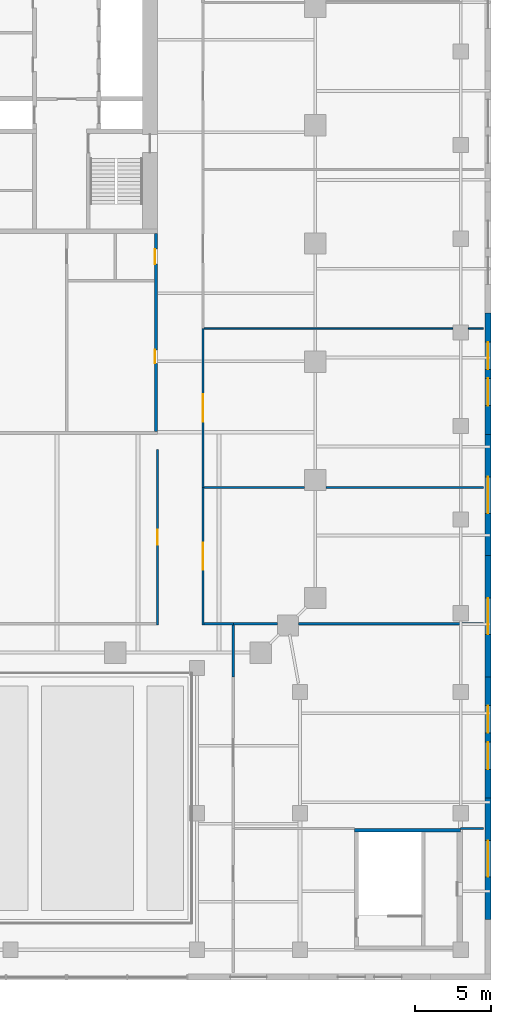
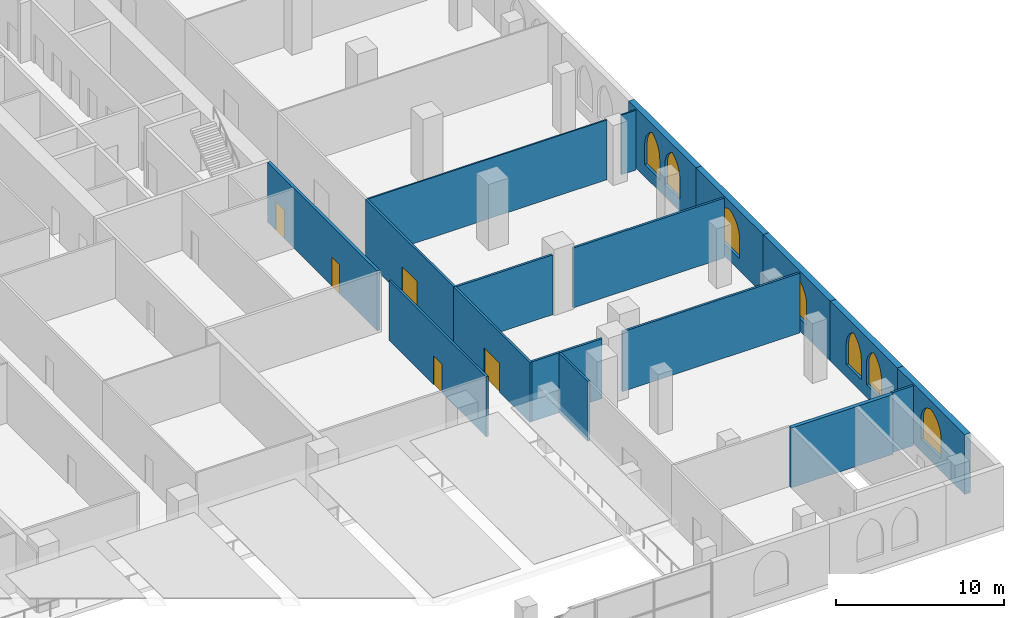
# One storey, part 13 of 18: 19 walls, 7 windows, 5 doors, 12 openings.
"""IFC4 building model written with IfcOpenShell, lengths in metres."""

import ifcopenshell
import ifcopenshell.guid

model = None  # the IFC model being written
_history = None  # IfcOwnerHistory: only IFC2X3 demands one
_inside = {}  # id of a spatial element -> (the spatial element, [elements in it])
_under = {}  # id of a project, library or spatial element -> (it, [spatial elements below it])
_declared = {}  # id of a project -> (the project, [libraries it declares])
_typed = {}  # id of a type object -> (the type object, [elements of that type])
_made_of = {}  # id of a material, layer set ... -> (it, [elements and type objects made of it])


def new_model(schema):
    """Start an empty IFC model of exactly this schema.

    Asked for "IFC4X3", IfcOpenShell would pick the latest addendum, in which some entities
    have other attributes; the version numbers below select the first issue.
    IFC2X3 requires an IfcOwnerHistory on every rooted entity: one is made here for all.
    """
    global model, _history
    if schema == "IFC4X3":
        model = ifcopenshell.file(schema_version=(4, 3, 0, 0))
    else:
        model = ifcopenshell.file(schema=schema)
    _inside.clear()
    _under.clear()
    _declared.clear()
    _typed.clear()
    _made_of.clear()
    _history = None
    if model.schema == "IFC2X3":
        org = make("IfcOrganization", Name="unknown")
        user = make(
            "IfcPersonAndOrganization",
            ThePerson=make("IfcPerson", FamilyName="unknown"),
            TheOrganization=org,
        )
        app = make(
            "IfcApplication",
            ApplicationDeveloper=org,
            Version="unknown",
            ApplicationFullName="unknown",
            ApplicationIdentifier="unknown",
        )
        _history = make(
            "IfcOwnerHistory",
            OwningUser=user,
            OwningApplication=app,
            ChangeAction="ADDED",
            CreationDate=0,
        )
    return model


def make(cls, **values):
    """One entity of the class cls with the attributes given. An attribute that is None is left unset."""
    return model.create_entity(
        cls, **{name: value for name, value in values.items() if value is not None}
    )


def rooted(cls, **values):
    """An entity with a GlobalId (a new one), such as an element, a storey or a relation."""
    return make(cls, GlobalId=ifcopenshell.guid.new(), OwnerHistory=_history, **values)


def si_unit(unit_type, name, prefix=None):
    """IfcSIUnit, for example si_unit("LENGTHUNIT", "METRE", prefix="MILLI")."""
    return make("IfcSIUnit", UnitType=unit_type, Prefix=prefix, Name=name)


def assignment(units):
    """IfcUnitAssignment: the units of a project."""
    return None if units is None else make("IfcUnitAssignment", Units=units)


def point(xyz):
    """IfcCartesianPoint."""
    return None if xyz is None else make("IfcCartesianPoint", Coordinates=xyz)


def direction(xyz):
    """IfcDirection."""
    return None if xyz is None else make("IfcDirection", DirectionRatios=xyz)


def frame(location, z_axis=None, x_axis=None):
    """IfcAxis2Placement3D, a coordinate frame: its origin and axes. An axis left out is left unset."""
    return make(
        "IfcAxis2Placement3D",
        Location=point(location),
        Axis=direction(z_axis),
        RefDirection=direction(x_axis),
    )


def frame_2d(location, x_axis=None):
    """IfcAxis2Placement2D, a coordinate frame in the plane: its origin and x axis."""
    return make(
        "IfcAxis2Placement2D", Location=point(location), RefDirection=direction(x_axis)
    )


def origin():
    """The frame at (0, 0, 0) with its axes left unset."""
    return frame((0.0, 0.0, 0.0))


def place(relative_to, where):
    """IfcLocalPlacement: puts the frame where relative to a parent placement (None: the world)."""
    return make(
        "IfcLocalPlacement", PlacementRelTo=relative_to, RelativePlacement=where
    )


def context(
    kind, dimensions, precision=None, world=None, true_north=None, identifier=None
):
    """IfcGeometricRepresentationContext, for example the 3D "Model" context."""
    return make(
        "IfcGeometricRepresentationContext",
        ContextIdentifier=identifier,
        ContextType=kind,
        CoordinateSpaceDimension=dimensions,
        Precision=precision,
        WorldCoordinateSystem=world,
        TrueNorth=true_north,
    )


def subcontext(parent, identifier, kind, view, scale=None):
    """IfcGeometricRepresentationSubContext, for example "Body" below "Model"."""
    return make(
        "IfcGeometricRepresentationSubContext",
        ContextIdentifier=identifier,
        ContextType=kind,
        ParentContext=parent,
        TargetScale=scale,
        TargetView=view,
    )


def project(units=None, contexts=None):
    """IfcProject with its units and contexts."""
    return rooted(
        "IfcProject",
        Name="project",
        RepresentationContexts=contexts,
        UnitsInContext=assignment(units),
    )


def spatial(cls, under=None, at=None, **own):
    """A site, building, storey or space (cls), placed at a placement, below another one or the project."""
    s = rooted(cls, ObjectPlacement=at, **own)
    if under is not None:
        _under.setdefault(under.id(), (under, []))[1].append(s)
    return s


def polyline(points):
    """IfcPolyline through the points."""
    return make("IfcPolyline", Points=[point(p) for p in points])


def profile(cls, at=None, kind="AREA", **sizes):
    """A parametric profile (cls). Its sizes go by their IFC names, for example OverallWidth=200.0."""
    return make(cls, ProfileType=kind, Position=at, **sizes)


def rectangle(**sizes):
    """IfcRectangleProfileDef."""
    return profile("IfcRectangleProfileDef", **sizes)


def outline(outer, holes=None, kind="AREA"):
    """IfcArbitraryClosedProfileDef: a profile drawn as a closed curve; with holes, ...WithVoids."""
    if holes is None:
        return make("IfcArbitraryClosedProfileDef", ProfileType=kind, OuterCurve=outer)
    return make(
        "IfcArbitraryProfileDefWithVoids",
        ProfileType=kind,
        OuterCurve=outer,
        InnerCurves=holes,
    )


def extrude(swept, where, along, depth):
    """IfcExtrudedAreaSolid: the profile swept, set in the frame where, extruded along a direction by depth."""
    return make(
        "IfcExtrudedAreaSolid",
        SweptArea=swept,
        Position=where,
        ExtrudedDirection=direction(along),
        Depth=depth,
    )


def shape(context_of_items, identifier, shape_type, items):
    """IfcShapeRepresentation: the items that make up one representation, for example the "Body"."""
    return make(
        "IfcShapeRepresentation",
        ContextOfItems=context_of_items,
        RepresentationIdentifier=identifier,
        RepresentationType=shape_type,
        Items=items,
    )


def material(Name=None, Category=None):
    """IfcMaterial."""
    return make("IfcMaterial", Name=Name, Category=Category)


def layer(
    of_material, thickness, ventilated=None, Name=None, Category=None, Priority=None
):
    """IfcMaterialLayer: one layer of a wall or slab, of a material (None: an air gap)."""
    return make(
        "IfcMaterialLayer",
        Material=of_material,
        LayerThickness=thickness,
        IsVentilated=ventilated,
        Name=Name,
        Category=Category,
        Priority=Priority,
    )


def layer_set(layers, Name=None):
    """IfcMaterialLayerSet."""
    return make("IfcMaterialLayerSet", MaterialLayers=layers, LayerSetName=Name)


def made_of(thing, what):
    """Note that an element or type object is made of a material, layer set ...; save() writes the relation."""
    if what is not None:
        _made_of.setdefault(what.id(), (what, []))[1].append(thing)
    return thing


def type_object(cls, material=None, **own):
    """A type object (cls), such as IfcWallType, which elements share."""
    return made_of(rooted(cls, **own), material)


def element(
    cls,
    number,
    at=None,
    inside=None,
    cuts=None,
    type_object=None,
    material=None,
    context=None,
    identifier="Body",
    shape_type=None,
    held_by="IfcProductDefinitionShape",
    body=None,
    shapes=None,
    **own,
):
    """One element of the class cls, such as IfcWall. Its Tag is "e" and its number.

    at: its placement. inside: the storey or other place that contains it. cuts: it is an
    opening in that element (IfcRelVoidsElement). A single representation is given by context,
    identifier, shape_type and body (its items); several are given by shapes. held_by: the class
    of the entity that holds the representations. save() writes the other relations.
    """
    e = rooted(cls, Tag="e%d" % number, ObjectPlacement=at, **own)
    if body is not None:
        shapes = [shape(context, identifier, shape_type, body)]
    if shapes is not None:
        e.Representation = make(held_by, Representations=shapes)
    if inside is not None:
        _inside.setdefault(inside.id(), (inside, []))[1].append(e)
    if cuts is not None:
        rooted(
            "IfcRelVoidsElement", RelatingBuildingElement=cuts, RelatedOpeningElement=e
        )
    if type_object is not None:
        _typed.setdefault(type_object.id(), (type_object, []))[1].append(e)
    return made_of(e, material)


def fill(opening, filler):
    """IfcRelFillsElement: the door or window that sits in an opening."""
    return rooted(
        "IfcRelFillsElement",
        RelatingOpeningElement=opening,
        RelatedBuildingElement=filler,
    )


def aggregate(whole, parts):
    """IfcRelAggregates: a whole, such as a stair, and the parts it consists of."""
    return rooted("IfcRelAggregates", RelatingObject=whole, RelatedObjects=parts)


def save(model, path):
    """Write the relations noted so far, then the file.

    IfcRelAggregates (storeys below a building ...), IfcRelContainedInSpatialStructure (elements
    in a storey), IfcRelDefinesByType, IfcRelAssociatesMaterial and IfcRelDeclares: one each for
    every whole, place, type object, material and project.
    """
    for whole, parts in _under.values():
        aggregate(whole, parts)
    for where, things in _inside.values():
        rooted(
            "IfcRelContainedInSpatialStructure",
            RelatedElements=things,
            RelatingStructure=where,
        )
    for kind, things in _typed.values():
        rooted("IfcRelDefinesByType", RelatedObjects=things, RelatingType=kind)
    for what, things in _made_of.values():
        rooted("IfcRelAssociatesMaterial", RelatedObjects=things, RelatingMaterial=what)
    for by, libraries in _declared.values():
        rooted("IfcRelDeclares", RelatingContext=by, RelatedDefinitions=libraries)
    model.write(path)


model = new_model("IFC4")

# Units and contexts
model_context = context("Model", 3, precision=1e-05, world=origin(), true_north=direction((0.0, 1.0)))
body_context = subcontext(model_context, "Body", "Model", "MODEL_VIEW")
ifc_project = project(units=[si_unit("LENGTHUNIT", "METRE"), si_unit("AREAUNIT", "SQUARE_METRE"), si_unit("VOLUMEUNIT", "CUBIC_METRE"), si_unit("PLANEANGLEUNIT", "RADIAN"), si_unit("MASSUNIT", "GRAM", prefix="KILO")], contexts=[model_context])

# Site, building, storey
site_placement = place(None, origin())
site = spatial("IfcSite", under=ifc_project, at=site_placement, CompositionType="ELEMENT")
building_placement = place(site_placement, origin())
building = spatial("IfcBuilding", under=site, at=building_placement, Name="Ogive Exchange Tower", CompositionType="ELEMENT")
storey_placement = place(building_placement, frame((0.0, 0.0, 28.800048828125)))
storey = spatial("IfcBuildingStorey", under=building, at=storey_placement, Name="L05", CompositionType="ELEMENT", Elevation=28.800048828125)

# Walls
ifc_material_1 = material(Name="Acoustic partition 150")
ifc_layer_1 = layer(ifc_material_1, 0.14990234375)
ifc_layer_set_1 = layer_set([ifc_layer_1], Name="Acoustic partition 150")
wall_type_1 = type_object("IfcWallType", Name="Acoustic partition 150", PredefinedType="PARTITIONING", material=ifc_layer_set_1)
wall_1_placement = place(storey_placement, frame((42.0, -42.0, 0.0), z_axis=(0.0, 0.0, 1.0), x_axis=(1.0, 0.0, 0.0)))
element("IfcWall", 1, at=wall_1_placement, inside=storey, type_object=wall_type_1, Name="L05-PWL-004", PredefinedType="PARTITIONING", context=body_context, shape_type="SweptSolid", body=[
    extrude(rectangle(XDim=1.5, YDim=0.14990234375, at=frame_2d((0.75, 0.0))), origin(), (0.0, 0.0, 1.0), 4.349853515625),
])
wall_2_placement = place(storey_placement, frame((27.0, -28.5, 0.0), z_axis=(0.0, 0.0, 1.0), x_axis=(1.0, 0.0, 0.0)))
element("IfcWall", 2, at=wall_2_placement, inside=storey, type_object=wall_type_1, Name="L05-PWL-013", PredefinedType="PARTITIONING", context=body_context, shape_type="SweptSolid", body=[
    extrude(rectangle(XDim=2.89990234375, YDim=0.14990234375, at=frame_2d((1.449951171875, 0.0))), origin(), (0.0, 0.0, 1.0), 4.349853515625),
])
wall_3_placement = place(storey_placement, frame((31.300048828125, -28.5, 0.0), z_axis=(0.0, 0.0, 1.0), x_axis=(1.0, 0.0, 0.0)))
element("IfcWall", 3, at=wall_3_placement, inside=storey, type_object=wall_type_1, Name="L05-PWL-014", PredefinedType="PARTITIONING", context=body_context, shape_type="SweptSolid", body=[
    extrude(rectangle(XDim=12.199951171875, YDim=0.14990234375, at=frame_2d((6.10009765625, 0.0))), origin(), (0.0, 0.0, 1.0), 4.349853515625),
])
wall_4_placement = place(storey_placement, frame((25.074951171875, -19.5, 0.0), z_axis=(0.0, 0.0, 1.0), x_axis=(1.0, 0.0, 0.0)))
element("IfcWall", 4, at=wall_4_placement, inside=storey, type_object=wall_type_1, Name="L05-PWL-016", PredefinedType="PARTITIONING", context=body_context, shape_type="SweptSolid", body=[
    extrude(rectangle(XDim=6.625, YDim=0.14990234375, at=frame_2d((3.3125, 0.0))), origin(), (0.0, 0.0, 1.0), 4.349853515625),
])
wall_5_placement = place(storey_placement, frame((33.10009765625, -19.5, 0.0), z_axis=(0.0, 0.0, 1.0), x_axis=(1.0, 0.0, 0.0)))
element("IfcWall", 5, at=wall_5_placement, inside=storey, type_object=wall_type_1, Name="L05-PWL-017", PredefinedType="PARTITIONING", context=body_context, shape_type="SweptSolid", body=[
    extrude(rectangle(XDim=10.39990234375, YDim=0.14990234375, at=frame_2d((5.199951171875, 0.0))), origin(), (0.0, 0.0, 1.0), 4.349853515625),
])
ifc_material_2 = material(Name="Fire partition EI 60 150")
ifc_layer_2 = layer(ifc_material_2, 0.14990234375)
ifc_layer_set_2 = layer_set([ifc_layer_2], Name="Fire partition EI 60 150")
wall_type_2 = type_object("IfcWallType", Name="Fire partition EI 60 150", PredefinedType="PARTITIONING", material=ifc_layer_set_2)
wall_6_placement = place(storey_placement, frame((25.074951171875, -28.5, 0.0), z_axis=(0.0, 0.0, 1.0), x_axis=(1.0, 0.0, 0.0)))
element("IfcWall", 6, at=wall_6_placement, inside=storey, type_object=wall_type_2, Name="L05-PWL-012", PredefinedType="PARTITIONING", context=body_context, shape_type="SweptSolid", body=[
    extrude(rectangle(XDim=1.925048828125, YDim=0.14990234375, at=frame_2d((0.96240234375, 0.0))), origin(), (0.0, 0.0, 1.0), 4.349853515625),
])

# Wall, opening, door
wall_7_placement = place(storey_placement, frame((22.0, -28.574951171875, 0.0), z_axis=(0.0, 0.0, 1.0), x_axis=(0.0, 1.0, 0.0)))
wall_7 = element("IfcWall", 7, at=wall_7_placement, inside=storey, type_object=wall_type_2, Name="L05-PWL-059", PredefinedType="PARTITIONING", context=body_context, shape_type="SweptSolid", body=[
    extrude(rectangle(XDim=11.574951171875, YDim=0.14990234375, at=frame_2d((5.78759765625, 0.0))), origin(), (0.0, 0.0, 1.0), 4.349853515625),
])
opening_1_placement = place(wall_7_placement, frame((5.28759765625, 0.0, 0.0)))
opening_1 = element("IfcOpeningElement", 8, at=opening_1_placement, cuts=wall_7, Name="Opening L05-I19", PredefinedType="OPENING", context=body_context, shape_type="SweptSolid", body=[
    extrude(rectangle(XDim=1.0, YDim=2.10009765625, at=frame_2d((0.5, 1.050048828125))), frame((0.0, 0.0849609375, 0.0), z_axis=(0.0, -1.0, 0.0), x_axis=(1.0, 0.0, 0.0)), (0.0, 0.0, 1.0), 0.169921875),
])
ifc_material_3 = material(Name="Fire door FD 30S 1000 x 2100")
door_type_1 = type_object("IfcDoorType", Name="Fire door FD 30S 1000 x 2100", OperationType="NOTDEFINED", PredefinedType="DOOR", material=ifc_material_3)
door_1_placement = place(opening_1_placement, origin())
door_1 = element("IfcDoor", 9, at=door_1_placement, inside=storey, type_object=door_type_1, Name="L05-IDR-019", ObjectType="DT3", OperationType="SINGLE_SWING_RIGHT", OverallHeight=2.10009765625, OverallWidth=1.0, PredefinedType="DOOR", context=body_context, shape_type="SweptSolid", body=[
    extrude(rectangle(XDim=1.0, YDim=2.10009765625, at=frame_2d((0.5, 1.050048828125))), frame((0.0, 0.02490234375, 0.0), z_axis=(0.0, -1.0, 0.0), x_axis=(1.0, 0.0, 0.0)), (0.0, 0.0, 1.0), 0.050048828125),
])
fill(opening_1, door_1)

wall_8_placement = place(storey_placement, frame((25.0, -28.574951171875, 0.0), z_axis=(0.0, 0.0, 1.0), x_axis=(0.0, 1.0, 0.0)))
wall_8 = element("IfcWall", 10, at=wall_8_placement, inside=storey, type_object=wall_type_2, Name="L05-PWL-060", PredefinedType="PARTITIONING", context=body_context, shape_type="SweptSolid", body=[
    extrude(rectangle(XDim=9.074951171875, YDim=0.14990234375, at=frame_2d((4.53759765625, 0.0))), origin(), (0.0, 0.0, 1.0), 4.349853515625),
])
opening_2_placement = place(wall_8_placement, frame((3.637451171875, 0.0, 0.0)))
opening_2 = element("IfcOpeningElement", 11, at=opening_2_placement, cuts=wall_8, Name="Opening L05-I09", PredefinedType="OPENING", context=body_context, shape_type="SweptSolid", body=[
    extrude(rectangle(XDim=1.800048828125, YDim=2.10009765625, at=frame_2d((0.89990234375, 1.050048828125))), frame((0.0, 0.0849609375, 0.0), z_axis=(0.0, -1.0, 0.0), x_axis=(1.0, 0.0, 0.0)), (0.0, 0.0, 1.0), 0.169921875),
])
ifc_material_4 = material(Name="Fire door FD 30S 1800 x 2100")
door_type_2 = type_object("IfcDoorType", Name="Fire door FD 30S 1800 x 2100", OperationType="DOUBLE_DOOR_SINGLE_SWING", PredefinedType="DOOR", material=ifc_material_4)
door_2_placement = place(opening_2_placement, frame((1.800048828125, 0.0, 0.0), z_axis=(0.0, 0.0, 1.0), x_axis=(-1.0, 0.0, 0.0)))
door_2 = element("IfcDoor", 12, at=door_2_placement, inside=storey, type_object=door_type_2, Name="L05-IDR-009", ObjectType="DT4", OperationType="SINGLE_SWING_RIGHT", OverallHeight=2.10009765625, OverallWidth=1.800048828125, PredefinedType="DOOR", context=body_context, shape_type="SweptSolid", body=[
    extrude(rectangle(XDim=1.800048828125, YDim=2.10009765625, at=frame_2d((0.89990234375, 1.050048828125))), frame((0.0, 0.02490234375, 0.0), z_axis=(0.0, -1.0, 0.0), x_axis=(1.0, 0.0, 0.0)), (0.0, 0.0, 1.0), 0.050048828125),
])
fill(opening_2, door_2)

wall_9_placement = place(storey_placement, frame((25.0, -19.5, 0.0), z_axis=(0.0, 0.0, 1.0), x_axis=(0.0, 1.0, 0.0)))
wall_9 = element("IfcWall", 13, at=wall_9_placement, inside=storey, type_object=wall_type_2, Name="L05-PWL-061", PredefinedType="PARTITIONING", context=body_context, shape_type="SweptSolid", body=[
    extrude(rectangle(XDim=10.5, YDim=0.14990234375, at=frame_2d((5.25, 0.0))), origin(), (0.0, 0.0, 1.0), 4.349853515625),
])
opening_3_placement = place(wall_9_placement, frame((4.35009765625, 0.0, 0.0)))
opening_3 = element("IfcOpeningElement", 14, at=opening_3_placement, cuts=wall_9, Name="Opening L05-I10", PredefinedType="OPENING", context=body_context, shape_type="SweptSolid", body=[
    extrude(rectangle(XDim=1.800048828125, YDim=2.10009765625, at=frame_2d((0.89990234375, 1.050048828125))), frame((0.0, 0.0849609375, 0.0), z_axis=(0.0, -1.0, 0.0), x_axis=(1.0, 0.0, 0.0)), (0.0, 0.0, 1.0), 0.169921875),
])
door_3_placement = place(opening_3_placement, frame((1.800048828125, 0.0, 0.0), z_axis=(0.0, 0.0, 1.0), x_axis=(-1.0, 0.0, 0.0)))
door_3 = element("IfcDoor", 15, at=door_3_placement, inside=storey, type_object=door_type_2, Name="L05-IDR-010", ObjectType="DT4", OperationType="SINGLE_SWING_LEFT", OverallHeight=2.10009765625, OverallWidth=1.800048828125, PredefinedType="DOOR", context=body_context, shape_type="SweptSolid", body=[
    extrude(rectangle(XDim=1.800048828125, YDim=2.10009765625, at=frame_2d((0.89990234375, 1.050048828125))), frame((0.0, 0.02490234375, 0.0), z_axis=(0.0, -1.0, 0.0), x_axis=(1.0, 0.0, 0.0)), (0.0, 0.0, 1.0), 0.050048828125),
])
fill(opening_3, door_3)

# Wall
wall_10_placement = place(storey_placement, frame((27.0, -32.0, 0.0), z_axis=(0.0, 0.0, 1.0), x_axis=(0.0, 1.0, 0.0)))
element("IfcWall", 16, at=wall_10_placement, inside=storey, type_object=wall_type_2, Name="L05-PWL-069", PredefinedType="PARTITIONING", context=body_context, shape_type="SweptSolid", body=[
    extrude(rectangle(XDim=3.425048828125, YDim=0.14990234375, at=frame_2d((1.71240234375, 0.0))), origin(), (0.0, 0.0, 1.0), 4.349853515625),
])

# Wall, opening, window
ifc_material_5 = material(Name="Precast concrete C40/50", Category="concrete")
ifc_layer_3 = layer(ifc_material_5, 0.39990234375)
ifc_layer_set_3 = layer_set([ifc_layer_3], Name="Limestone-faced wall 400")
wall_type_3 = type_object("IfcWallType", Name="Limestone-faced wall 400", PredefinedType="STANDARD", material=ifc_layer_set_3)
wall_11_placement = place(storey_placement, frame((43.800048828125, -48.0, 0.0), z_axis=(0.0, 0.0, 1.0), x_axis=(0.0, 1.0, 0.0)))
wall_11 = element("IfcWall", 17, at=wall_11_placement, inside=storey, type_object=wall_type_3, Name="Podium wall E2", PredefinedType="STANDARD", context=body_context, shape_type="SweptSolid", body=[
    extrude(rectangle(XDim=8.0, YDim=0.39990234375, at=frame_2d((4.0, 0.0))), origin(), (0.0, 0.0, 1.0), 4.349853515625),
])
opening_4_placement = place(wall_11_placement, frame((2.800048828125, 0.0, 0.89990234375)))
opening_4 = element("IfcOpeningElement", 18, at=opening_4_placement, cuts=wall_11, Name="Opening WP285", PredefinedType="OPENING", context=body_context, shape_type="SweptSolid", body=[
    extrude(outline(polyline([(0.0, 0.0), (2.39990234375, 0.0), (2.39990234375, 1.425048828125), (2.3779296875, 1.6767578125), (2.312255859375, 1.9208984375), (2.205322265625, 2.149658203125), (2.06005859375, 2.3564453125), (1.880859375, 2.534912109375), (1.673583984375, 2.679443359375), (1.4443359375, 2.785400390625), (1.199951171875, 2.85009765625), (0.95556640625, 2.785400390625), (0.726318359375, 2.679443359375), (0.51904296875, 2.534912109375), (0.33984375, 2.3564453125), (0.194580078125, 2.149658203125), (0.087646484375, 1.9208984375), (0.02197265625, 1.6767578125), (0.0, 1.425048828125), (0.0, 0.0)])), frame((0.0, 0.2099609375, 0.0), z_axis=(0.0, -1.0, 0.0), x_axis=(1.0, 0.0, 0.0)), (0.0, 0.0, 1.0), 0.419921875),
])
ifc_material_6 = material(Name="Clear glass in bronze frame", Category="glass")
window_type_1 = type_object("IfcWindowType", Name="Podium lancet window 2400 x 2850", PartitioningType="DOUBLE_PANEL_VERTICAL", PredefinedType="WINDOW", material=ifc_material_6)
window_1_placement = place(opening_4_placement, origin())
window_1 = element("IfcWindow", 19, at=window_1_placement, inside=storey, type_object=window_type_1, Name="Podium window E2", OverallHeight=2.85009765625, OverallWidth=2.39990234375, PartitioningType="DOUBLE_PANEL_VERTICAL", PredefinedType="WINDOW", context=body_context, shape_type="SweptSolid", body=[
    extrude(outline(polyline([(0.0, 0.0), (2.39990234375, 0.0), (2.39990234375, 1.425048828125), (2.3779296875, 1.6767578125), (2.312255859375, 1.9208984375), (2.205322265625, 2.149658203125), (2.06005859375, 2.3564453125), (1.880859375, 2.534912109375), (1.673583984375, 2.679443359375), (1.4443359375, 2.785400390625), (1.199951171875, 2.85009765625), (0.95556640625, 2.785400390625), (0.726318359375, 2.679443359375), (0.51904296875, 2.534912109375), (0.33984375, 2.3564453125), (0.194580078125, 2.149658203125), (0.087646484375, 1.9208984375), (0.02197265625, 1.6767578125), (0.0, 1.425048828125), (0.0, 0.0)])), frame((0.0, 0.030029296875, 0.0), z_axis=(0.0, -1.0, 0.0), x_axis=(1.0, 0.0, 0.0)), (0.0, 0.0, 1.0), 0.06005859375),
])
fill(opening_4, window_1)

# Wall, openings, windows
wall_12_placement = place(storey_placement, frame((43.800048828125, -40.0, 0.0), z_axis=(0.0, 0.0, 1.0), x_axis=(0.0, 1.0, 0.0)))
wall_12 = element("IfcWall", 20, at=wall_12_placement, inside=storey, type_object=wall_type_3, Name="Podium wall E3", PredefinedType="STANDARD", context=body_context, shape_type="SweptSolid", body=[
    extrude(rectangle(XDim=8.0, YDim=0.39990234375, at=frame_2d((4.0, 0.0))), origin(), (0.0, 0.0, 1.0), 4.349853515625),
])
opening_5_placement = place(wall_12_placement, frame((1.89990234375, 0.0, 0.89990234375)))
opening_5 = element("IfcOpeningElement", 21, at=opening_5_placement, cuts=wall_12, Name="Opening WQ285", PredefinedType="OPENING", context=body_context, shape_type="SweptSolid", body=[
    extrude(outline(polyline([(0.0, 0.0), (1.800048828125, 0.0), (1.800048828125, 1.425048828125), (1.784423828125, 1.646484375), (1.73779296875, 1.86376953125), (1.661376953125, 2.072265625), (1.55615234375, 2.267822265625), (1.4248046875, 2.44677734375), (1.269287109375, 2.60546875), (1.09326171875, 2.74072265625), (0.89990234375, 2.85009765625), (0.706787109375, 2.74072265625), (0.53076171875, 2.60546875), (0.375244140625, 2.44677734375), (0.243896484375, 2.267822265625), (0.138671875, 2.072265625), (0.062255859375, 1.86376953125), (0.015625, 1.646484375), (0.0, 1.425048828125), (0.0, 0.0)])), frame((0.0, 0.2099609375, 0.0), z_axis=(0.0, -1.0, 0.0), x_axis=(1.0, 0.0, 0.0)), (0.0, 0.0, 1.0), 0.419921875),
])
opening_6_placement = place(wall_12_placement, frame((4.300048828125, 0.0, 0.89990234375)))
opening_6 = element("IfcOpeningElement", 22, at=opening_6_placement, cuts=wall_12, Name="Opening WQ285", PredefinedType="OPENING", context=body_context, shape_type="SweptSolid", body=[
    extrude(outline(polyline([(0.0, 0.0), (1.800048828125, 0.0), (1.800048828125, 1.425048828125), (1.784423828125, 1.646484375), (1.73779296875, 1.86376953125), (1.661376953125, 2.072265625), (1.55615234375, 2.267822265625), (1.4248046875, 2.44677734375), (1.269287109375, 2.60546875), (1.09326171875, 2.74072265625), (0.89990234375, 2.85009765625), (0.706787109375, 2.74072265625), (0.53076171875, 2.60546875), (0.375244140625, 2.44677734375), (0.243896484375, 2.267822265625), (0.138671875, 2.072265625), (0.062255859375, 1.86376953125), (0.015625, 1.646484375), (0.0, 1.425048828125), (0.0, 0.0)])), frame((0.0, 0.2099609375, 0.0), z_axis=(0.0, -1.0, 0.0), x_axis=(1.0, 0.0, 0.0)), (0.0, 0.0, 1.0), 0.419921875),
])
window_type_2 = type_object("IfcWindowType", Name="Podium paired lancet 1800 x 2850", PartitioningType="DOUBLE_PANEL_VERTICAL", PredefinedType="WINDOW", material=ifc_material_6)
window_2_placement = place(opening_5_placement, origin())
window_2 = element("IfcWindow", 23, at=window_2_placement, inside=storey, type_object=window_type_2, Name="Podium paired lancet E3.1", OverallHeight=2.85009765625, OverallWidth=1.800048828125, PartitioningType="DOUBLE_PANEL_VERTICAL", PredefinedType="WINDOW", context=body_context, shape_type="SweptSolid", body=[
    extrude(outline(polyline([(0.0, 0.0), (1.800048828125, 0.0), (1.800048828125, 1.425048828125), (1.784423828125, 1.646484375), (1.73779296875, 1.86376953125), (1.661376953125, 2.072265625), (1.55615234375, 2.267822265625), (1.4248046875, 2.44677734375), (1.269287109375, 2.60546875), (1.09326171875, 2.74072265625), (0.89990234375, 2.85009765625), (0.706787109375, 2.74072265625), (0.53076171875, 2.60546875), (0.375244140625, 2.44677734375), (0.243896484375, 2.267822265625), (0.138671875, 2.072265625), (0.062255859375, 1.86376953125), (0.015625, 1.646484375), (0.0, 1.425048828125), (0.0, 0.0)])), frame((0.0, 0.030029296875, 0.0), z_axis=(0.0, -1.0, 0.0), x_axis=(1.0, 0.0, 0.0)), (0.0, 0.0, 1.0), 0.06005859375),
])
fill(opening_5, window_2)
window_3_placement = place(opening_6_placement, origin())
window_3 = element("IfcWindow", 24, at=window_3_placement, inside=storey, type_object=window_type_2, Name="Podium paired lancet E3.2", OverallHeight=2.85009765625, OverallWidth=1.800048828125, PartitioningType="DOUBLE_PANEL_VERTICAL", PredefinedType="WINDOW", context=body_context, shape_type="SweptSolid", body=[
    extrude(outline(polyline([(0.0, 0.0), (1.800048828125, 0.0), (1.800048828125, 1.425048828125), (1.784423828125, 1.646484375), (1.73779296875, 1.86376953125), (1.661376953125, 2.072265625), (1.55615234375, 2.267822265625), (1.4248046875, 2.44677734375), (1.269287109375, 2.60546875), (1.09326171875, 2.74072265625), (0.89990234375, 2.85009765625), (0.706787109375, 2.74072265625), (0.53076171875, 2.60546875), (0.375244140625, 2.44677734375), (0.243896484375, 2.267822265625), (0.138671875, 2.072265625), (0.062255859375, 1.86376953125), (0.015625, 1.646484375), (0.0, 1.425048828125), (0.0, 0.0)])), frame((0.0, 0.030029296875, 0.0), z_axis=(0.0, -1.0, 0.0), x_axis=(1.0, 0.0, 0.0)), (0.0, 0.0, 1.0), 0.06005859375),
])
fill(opening_6, window_3)

# Wall, opening, window
wall_13_placement = place(storey_placement, frame((43.800048828125, -32.0, 0.0), z_axis=(0.0, 0.0, 1.0), x_axis=(0.0, 1.0, 0.0)))
wall_13 = element("IfcWall", 25, at=wall_13_placement, inside=storey, type_object=wall_type_3, Name="Podium wall E4", PredefinedType="STANDARD", context=body_context, shape_type="SweptSolid", body=[
    extrude(rectangle(XDim=8.0, YDim=0.39990234375, at=frame_2d((4.0, 0.0))), origin(), (0.0, 0.0, 1.0), 4.349853515625),
])
opening_7_placement = place(wall_13_placement, frame((2.800048828125, 0.0, 0.89990234375)))
opening_7 = element("IfcOpeningElement", 26, at=opening_7_placement, cuts=wall_13, Name="Opening WP285", PredefinedType="OPENING", context=body_context, shape_type="SweptSolid", body=[
    extrude(outline(polyline([(0.0, 0.0), (2.39990234375, 0.0), (2.39990234375, 1.425048828125), (2.3779296875, 1.6767578125), (2.312255859375, 1.9208984375), (2.205322265625, 2.149658203125), (2.06005859375, 2.3564453125), (1.880859375, 2.534912109375), (1.673583984375, 2.679443359375), (1.4443359375, 2.785400390625), (1.199951171875, 2.85009765625), (0.95556640625, 2.785400390625), (0.726318359375, 2.679443359375), (0.51904296875, 2.534912109375), (0.33984375, 2.3564453125), (0.194580078125, 2.149658203125), (0.087646484375, 1.9208984375), (0.02197265625, 1.6767578125), (0.0, 1.425048828125), (0.0, 0.0)])), frame((0.0, 0.2099609375, 0.0), z_axis=(0.0, -1.0, 0.0), x_axis=(1.0, 0.0, 0.0)), (0.0, 0.0, 1.0), 0.419921875),
])
window_4_placement = place(opening_7_placement, origin())
window_4 = element("IfcWindow", 27, at=window_4_placement, inside=storey, type_object=window_type_1, Name="Podium window E4", OverallHeight=2.85009765625, OverallWidth=2.39990234375, PartitioningType="DOUBLE_PANEL_VERTICAL", PredefinedType="WINDOW", context=body_context, shape_type="SweptSolid", body=[
    extrude(outline(polyline([(0.0, 0.0), (2.39990234375, 0.0), (2.39990234375, 1.425048828125), (2.3779296875, 1.6767578125), (2.312255859375, 1.9208984375), (2.205322265625, 2.149658203125), (2.06005859375, 2.3564453125), (1.880859375, 2.534912109375), (1.673583984375, 2.679443359375), (1.4443359375, 2.785400390625), (1.199951171875, 2.85009765625), (0.95556640625, 2.785400390625), (0.726318359375, 2.679443359375), (0.51904296875, 2.534912109375), (0.33984375, 2.3564453125), (0.194580078125, 2.149658203125), (0.087646484375, 1.9208984375), (0.02197265625, 1.6767578125), (0.0, 1.425048828125), (0.0, 0.0)])), frame((0.0, 0.030029296875, 0.0), z_axis=(0.0, -1.0, 0.0), x_axis=(1.0, 0.0, 0.0)), (0.0, 0.0, 1.0), 0.06005859375),
])
fill(opening_7, window_4)

wall_14_placement = place(storey_placement, frame((43.800048828125, -24.0, 0.0), z_axis=(0.0, 0.0, 1.0), x_axis=(0.0, 1.0, 0.0)))
wall_14 = element("IfcWall", 28, at=wall_14_placement, inside=storey, type_object=wall_type_3, Name="Podium wall E5", PredefinedType="STANDARD", context=body_context, shape_type="SweptSolid", body=[
    extrude(rectangle(XDim=8.0, YDim=0.39990234375, at=frame_2d((4.0, 0.0))), origin(), (0.0, 0.0, 1.0), 4.349853515625),
])
opening_8_placement = place(wall_14_placement, frame((2.800048828125, 0.0, 0.89990234375)))
opening_8 = element("IfcOpeningElement", 29, at=opening_8_placement, cuts=wall_14, Name="Opening WP285", PredefinedType="OPENING", context=body_context, shape_type="SweptSolid", body=[
    extrude(outline(polyline([(0.0, 0.0), (2.39990234375, 0.0), (2.39990234375, 1.425048828125), (2.3779296875, 1.6767578125), (2.312255859375, 1.9208984375), (2.205322265625, 2.149658203125), (2.06005859375, 2.3564453125), (1.880859375, 2.534912109375), (1.673583984375, 2.679443359375), (1.4443359375, 2.785400390625), (1.199951171875, 2.85009765625), (0.95556640625, 2.785400390625), (0.726318359375, 2.679443359375), (0.51904296875, 2.534912109375), (0.33984375, 2.3564453125), (0.194580078125, 2.149658203125), (0.087646484375, 1.9208984375), (0.02197265625, 1.6767578125), (0.0, 1.425048828125), (0.0, 0.0)])), frame((0.0, 0.2099609375, 0.0), z_axis=(0.0, -1.0, 0.0), x_axis=(1.0, 0.0, 0.0)), (0.0, 0.0, 1.0), 0.419921875),
])
window_5_placement = place(opening_8_placement, origin())
window_5 = element("IfcWindow", 30, at=window_5_placement, inside=storey, type_object=window_type_1, Name="Podium window E5", OverallHeight=2.85009765625, OverallWidth=2.39990234375, PartitioningType="DOUBLE_PANEL_VERTICAL", PredefinedType="WINDOW", context=body_context, shape_type="SweptSolid", body=[
    extrude(outline(polyline([(0.0, 0.0), (2.39990234375, 0.0), (2.39990234375, 1.425048828125), (2.3779296875, 1.6767578125), (2.312255859375, 1.9208984375), (2.205322265625, 2.149658203125), (2.06005859375, 2.3564453125), (1.880859375, 2.534912109375), (1.673583984375, 2.679443359375), (1.4443359375, 2.785400390625), (1.199951171875, 2.85009765625), (0.95556640625, 2.785400390625), (0.726318359375, 2.679443359375), (0.51904296875, 2.534912109375), (0.33984375, 2.3564453125), (0.194580078125, 2.149658203125), (0.087646484375, 1.9208984375), (0.02197265625, 1.6767578125), (0.0, 1.425048828125), (0.0, 0.0)])), frame((0.0, 0.030029296875, 0.0), z_axis=(0.0, -1.0, 0.0), x_axis=(1.0, 0.0, 0.0)), (0.0, 0.0, 1.0), 0.06005859375),
])
fill(opening_8, window_5)

# Wall, openings, windows
wall_15_placement = place(storey_placement, frame((43.800048828125, -16.0, 0.0), z_axis=(0.0, 0.0, 1.0), x_axis=(0.0, 1.0, 0.0)))
wall_15 = element("IfcWall", 31, at=wall_15_placement, inside=storey, type_object=wall_type_3, Name="Podium wall E6", PredefinedType="STANDARD", context=body_context, shape_type="SweptSolid", body=[
    extrude(rectangle(XDim=8.0, YDim=0.39990234375, at=frame_2d((4.0, 0.0))), origin(), (0.0, 0.0, 1.0), 4.349853515625),
])
opening_9_placement = place(wall_15_placement, frame((1.89990234375, 0.0, 0.89990234375)))
opening_9 = element("IfcOpeningElement", 32, at=opening_9_placement, cuts=wall_15, Name="Opening WQ285", PredefinedType="OPENING", context=body_context, shape_type="SweptSolid", body=[
    extrude(outline(polyline([(0.0, 0.0), (1.800048828125, 0.0), (1.800048828125, 1.425048828125), (1.784423828125, 1.646484375), (1.73779296875, 1.86376953125), (1.661376953125, 2.072265625), (1.55615234375, 2.267822265625), (1.4248046875, 2.44677734375), (1.269287109375, 2.60546875), (1.09326171875, 2.74072265625), (0.89990234375, 2.85009765625), (0.706787109375, 2.74072265625), (0.53076171875, 2.60546875), (0.375244140625, 2.44677734375), (0.243896484375, 2.267822265625), (0.138671875, 2.072265625), (0.062255859375, 1.86376953125), (0.015625, 1.646484375), (0.0, 1.425048828125), (0.0, 0.0)])), frame((0.0, 0.2099609375, 0.0), z_axis=(0.0, -1.0, 0.0), x_axis=(1.0, 0.0, 0.0)), (0.0, 0.0, 1.0), 0.419921875),
])
opening_10_placement = place(wall_15_placement, frame((4.300048828125, 0.0, 0.89990234375)))
opening_10 = element("IfcOpeningElement", 33, at=opening_10_placement, cuts=wall_15, Name="Opening WQ285", PredefinedType="OPENING", context=body_context, shape_type="SweptSolid", body=[
    extrude(outline(polyline([(0.0, 0.0), (1.800048828125, 0.0), (1.800048828125, 1.425048828125), (1.784423828125, 1.646484375), (1.73779296875, 1.86376953125), (1.661376953125, 2.072265625), (1.55615234375, 2.267822265625), (1.4248046875, 2.44677734375), (1.269287109375, 2.60546875), (1.09326171875, 2.74072265625), (0.89990234375, 2.85009765625), (0.706787109375, 2.74072265625), (0.53076171875, 2.60546875), (0.375244140625, 2.44677734375), (0.243896484375, 2.267822265625), (0.138671875, 2.072265625), (0.062255859375, 1.86376953125), (0.015625, 1.646484375), (0.0, 1.425048828125), (0.0, 0.0)])), frame((0.0, 0.2099609375, 0.0), z_axis=(0.0, -1.0, 0.0), x_axis=(1.0, 0.0, 0.0)), (0.0, 0.0, 1.0), 0.419921875),
])
window_6_placement = place(opening_9_placement, origin())
window_6 = element("IfcWindow", 34, at=window_6_placement, inside=storey, type_object=window_type_2, Name="Podium paired lancet E6.1", OverallHeight=2.85009765625, OverallWidth=1.800048828125, PartitioningType="DOUBLE_PANEL_VERTICAL", PredefinedType="WINDOW", context=body_context, shape_type="SweptSolid", body=[
    extrude(outline(polyline([(0.0, 0.0), (1.800048828125, 0.0), (1.800048828125, 1.425048828125), (1.784423828125, 1.646484375), (1.73779296875, 1.86376953125), (1.661376953125, 2.072265625), (1.55615234375, 2.267822265625), (1.4248046875, 2.44677734375), (1.269287109375, 2.60546875), (1.09326171875, 2.74072265625), (0.89990234375, 2.85009765625), (0.706787109375, 2.74072265625), (0.53076171875, 2.60546875), (0.375244140625, 2.44677734375), (0.243896484375, 2.267822265625), (0.138671875, 2.072265625), (0.062255859375, 1.86376953125), (0.015625, 1.646484375), (0.0, 1.425048828125), (0.0, 0.0)])), frame((0.0, 0.030029296875, 0.0), z_axis=(0.0, -1.0, 0.0), x_axis=(1.0, 0.0, 0.0)), (0.0, 0.0, 1.0), 0.06005859375),
])
fill(opening_9, window_6)
window_7_placement = place(opening_10_placement, origin())
window_7 = element("IfcWindow", 35, at=window_7_placement, inside=storey, type_object=window_type_2, Name="Podium paired lancet E6.2", OverallHeight=2.85009765625, OverallWidth=1.800048828125, PartitioningType="DOUBLE_PANEL_VERTICAL", PredefinedType="WINDOW", context=body_context, shape_type="SweptSolid", body=[
    extrude(outline(polyline([(0.0, 0.0), (1.800048828125, 0.0), (1.800048828125, 1.425048828125), (1.784423828125, 1.646484375), (1.73779296875, 1.86376953125), (1.661376953125, 2.072265625), (1.55615234375, 2.267822265625), (1.4248046875, 2.44677734375), (1.269287109375, 2.60546875), (1.09326171875, 2.74072265625), (0.89990234375, 2.85009765625), (0.706787109375, 2.74072265625), (0.53076171875, 2.60546875), (0.375244140625, 2.44677734375), (0.243896484375, 2.267822265625), (0.138671875, 2.072265625), (0.062255859375, 1.86376953125), (0.015625, 1.646484375), (0.0, 1.425048828125), (0.0, 0.0)])), frame((0.0, 0.030029296875, 0.0), z_axis=(0.0, -1.0, 0.0), x_axis=(1.0, 0.0, 0.0)), (0.0, 0.0, 1.0), 0.06005859375),
])
fill(opening_10, window_7)

# Walls
ifc_material_7 = material(Name="Partition 100 gypsum")
ifc_layer_4 = layer(ifc_material_7, 0.10009765625)
ifc_layer_set_4 = layer_set([ifc_layer_4], Name="Partition 100 gypsum")
wall_type_4 = type_object("IfcWallType", Name="Partition 100 gypsum", PredefinedType="PARTITIONING", material=ifc_layer_set_4)
wall_16_placement = place(storey_placement, frame((25.074951171875, -9.0, 0.0), z_axis=(0.0, 0.0, 1.0), x_axis=(1.0, 0.0, 0.0)))
element("IfcWall", 36, at=wall_16_placement, inside=storey, type_object=wall_type_4, Name="L05-PWL-022", PredefinedType="PARTITIONING", context=body_context, shape_type="SweptSolid", body=[
    extrude(rectangle(XDim=16.425048828125, YDim=0.10009765625, at=frame_2d((8.21240234375, 0.0))), origin(), (0.0, 0.0, 1.0), 4.349853515625),
])
wall_17_placement = place(storey_placement, frame((42.5, -9.0, 0.0), z_axis=(0.0, 0.0, 1.0), x_axis=(1.0, 0.0, 0.0)))
element("IfcWall", 37, at=wall_17_placement, inside=storey, type_object=wall_type_4, Name="L05-PWL-023", PredefinedType="PARTITIONING", context=body_context, shape_type="SweptSolid", body=[
    extrude(rectangle(XDim=1.0, YDim=0.10009765625, at=frame_2d((0.5, 0.0))), origin(), (0.0, 0.0, 1.0), 4.349853515625),
])

# Wall, openings, doors
ifc_material_8 = material(Name="Concrete C70/85", Category="concrete")
ifc_layer_5 = layer(ifc_material_8, 0.199951171875)
ifc_layer_set_5 = layer_set([ifc_layer_5], Name="RC core wall 200 C70/85")
wall_type_5 = type_object("IfcWallType", Name="RC core wall 200 C70/85", PredefinedType="SHEAR", material=ifc_layer_set_5)
wall_18_placement = place(storey_placement, frame((21.89990234375, -15.800048828125, 0.0), z_axis=(0.0, 0.0, 1.0), x_axis=(0.0, 1.0, 0.0)))
wall_18 = element("IfcWall", 38, at=wall_18_placement, inside=storey, type_object=wall_type_5, Name="E annex S outer wall", PredefinedType="SHEAR", context=body_context, shape_type="SweptSolid", body=[
    extrude(rectangle(XDim=13.050048828125, YDim=0.199951171875, at=frame_2d((6.52490234375, 0.0))), origin(), (0.0, 0.0, 1.0), 4.349853515625),
])
opening_11_placement = place(wall_18_placement, frame((4.487548828125, 0.0, 0.0)))
opening_11 = element("IfcOpeningElement", 39, at=opening_11_placement, cuts=wall_18, Name="Opening L05-C41", PredefinedType="OPENING", context=body_context, shape_type="SweptSolid", body=[
    extrude(rectangle(XDim=0.89990234375, YDim=2.10009765625, at=frame_2d((0.449951171875, 1.050048828125))), frame((0.0, 0.10986328125, 0.0), z_axis=(0.0, -1.0, 0.0), x_axis=(1.0, 0.0, 0.0)), (0.0, 0.0, 1.0), 0.219970703125),
])
opening_12_placement = place(wall_18_placement, frame((11.03759765625, 0.0, 0.0)))
opening_12 = element("IfcOpeningElement", 40, at=opening_12_placement, cuts=wall_18, Name="Opening L05-C42", PredefinedType="OPENING", context=body_context, shape_type="SweptSolid", body=[
    extrude(rectangle(XDim=1.0, YDim=2.10009765625, at=frame_2d((0.5, 1.050048828125))), frame((0.0, 0.10986328125, 0.0), z_axis=(0.0, -1.0, 0.0), x_axis=(1.0, 0.0, 0.0)), (0.0, 0.0, 1.0), 0.219970703125),
])
ifc_material_9 = material(Name="Timber fire door", Category="wood")
door_type_3 = type_object("IfcDoorType", Name="Accessible WC door FD30S 1000 x 2100", OperationType="NOTDEFINED", PredefinedType="DOOR", material=ifc_material_9)
door_4_placement = place(opening_12_placement, origin())
door_4 = element("IfcDoor", 41, at=door_4_placement, inside=storey, type_object=door_type_3, Name="Accessible WC door", ObjectType="CD7", OperationType="SINGLE_SWING_LEFT", OverallHeight=2.10009765625, OverallWidth=1.0, PredefinedType="DOOR", context=body_context, shape_type="SweptSolid", body=[
    extrude(rectangle(XDim=1.0, YDim=2.10009765625, at=frame_2d((0.5, 1.050048828125))), frame((0.0, 0.10009765625, 0.0), z_axis=(0.0, -1.0, 0.0), x_axis=(1.0, 0.0, 0.0)), (0.0, 0.0, 1.0), 0.050048828125),
])
fill(opening_12, door_4)
door_type_4 = type_object("IfcDoorType", Name="Core room door FD30S 900 x 2100", OperationType="NOTDEFINED", PredefinedType="DOOR", material=ifc_material_9)
door_5_placement = place(opening_11_placement, origin())
door_5 = element("IfcDoor", 42, at=door_5_placement, inside=storey, type_object=door_type_4, Name="Core room door", ObjectType="CD6", OperationType="SINGLE_SWING_LEFT", OverallHeight=2.10009765625, OverallWidth=0.89990234375, PredefinedType="DOOR", context=body_context, shape_type="SweptSolid", body=[
    extrude(rectangle(XDim=0.89990234375, YDim=2.10009765625, at=frame_2d((0.449951171875, 1.050048828125))), frame((0.0, 0.10009765625, 0.0), z_axis=(0.0, -1.0, 0.0), x_axis=(1.0, 0.0, 0.0)), (0.0, 0.0, 1.0), 0.050048828125),
])
fill(opening_11, door_5)

# Wall
ifc_layer_6 = layer(ifc_material_8, 0.25)
ifc_layer_set_6 = layer_set([ifc_layer_6], Name="RC core wall 250 C70/85")
wall_type_6 = type_object("IfcWallType", Name="RC core wall 250 C70/85", PredefinedType="SHEAR", material=ifc_layer_set_6)
wall_19_placement = place(storey_placement, frame((35.0, -42.125, 0.0), z_axis=(0.0, 0.0, 1.0), x_axis=(1.0, 0.0, 0.0)))
element("IfcWall", 43, at=wall_19_placement, inside=storey, type_object=wall_type_6, Name="PS2 north wall", PredefinedType="SHEAR", context=body_context, shape_type="SweptSolid", body=[
    extrude(rectangle(XDim=7.0, YDim=0.25, at=frame_2d((3.5, 0.0))), origin(), (0.0, 0.0, 1.0), 4.349853515625),
])

save(model, "model.ifc")
